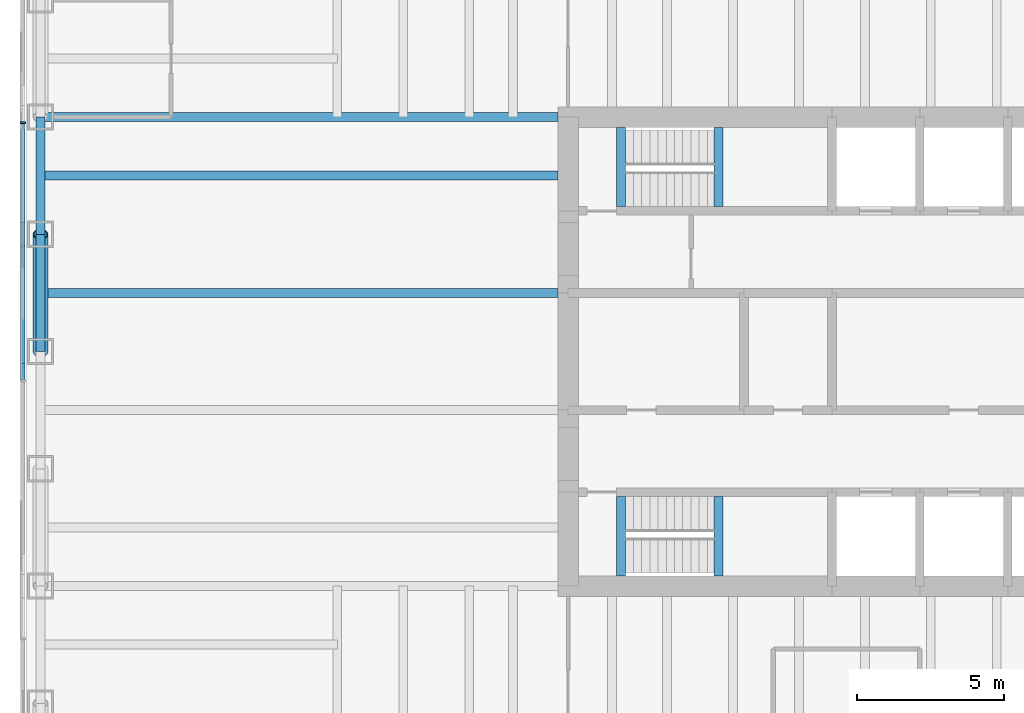
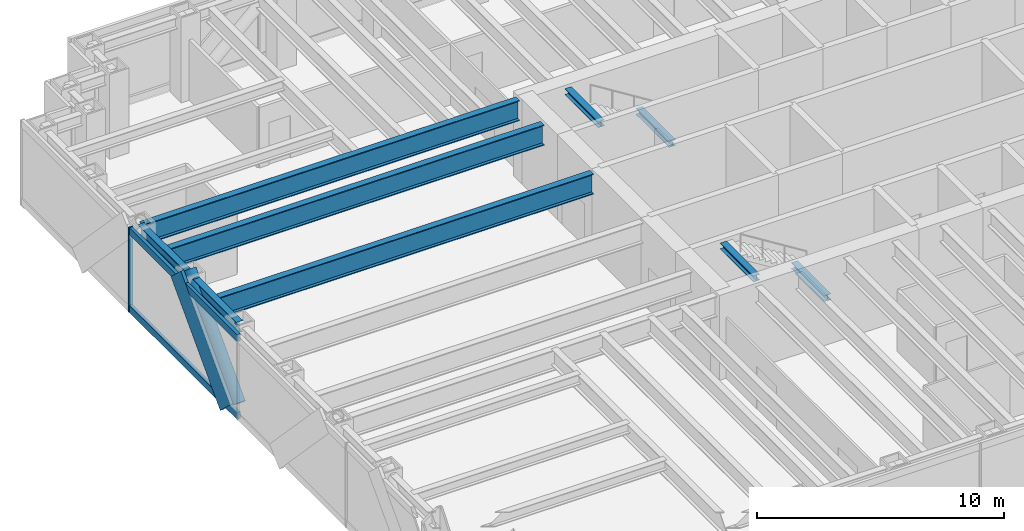
# One storey, part 3 of 15: 9 beams, 5 members, 1 element without a shape of its own.
"""IFC4 building model written with IfcOpenShell, lengths in metres."""

from ifc_helpers import new_model, si_unit, direction, frame, origin, origin_2d, place, context, subcontext, project, spatial, rectangle, hollow_circle, i_section, extrude, material, material_profile, profile_set, type_object, element, aggregate, save


model = new_model("IFC4")

# Units and contexts
model_context = context("Model", 3, precision=1e-05, world=origin(), true_north=direction((0.0, 1.0)))
body_context = subcontext(model_context, "Body", "Model", "MODEL_VIEW")
ifc_project = project(units=[si_unit("LENGTHUNIT", "METRE"), si_unit("AREAUNIT", "SQUARE_METRE"), si_unit("VOLUMEUNIT", "CUBIC_METRE"), si_unit("PLANEANGLEUNIT", "RADIAN"), si_unit("MASSUNIT", "GRAM", prefix="KILO")], contexts=[model_context])

# Site, building, storey
site_placement = place(None, origin())
site = spatial("IfcSite", under=ifc_project, at=site_placement, CompositionType="ELEMENT")
building_placement = place(site_placement, origin())
building = spatial("IfcBuilding", under=site, at=building_placement, Name="Rheinbord Bourse Tower", CompositionType="ELEMENT")
storey_placement = place(building_placement, frame((0.0, 0.0, 279.5)))
storey = spatial("IfcBuildingStorey", under=building, at=storey_placement, Name="L63", CompositionType="ELEMENT", Elevation=279.5)

# Curtain wall, members
ifc_material_1 = material(Name="Dark glass and black aluminium", Category="aluminium")
curtain_wall_type = type_object("IfcCurtainWallType", Name="CW3 DARK GLASS CURTAIN WALL", PredefinedType="USERDEFINED", material=ifc_material_1)
curtain_wall_placement = place(storey_placement, origin())
curtain_wall = element("IfcCurtainWall", 1, at=curtain_wall_placement, inside=storey, type_object=curtain_wall_type, Name="Curtain wall CW3 W L63", ObjectType="UNITISED CURTAIN WALL", PredefinedType="USERDEFINED")
ifc_material_2 = material(Name="Black anodised aluminium", Category="aluminium")
ifc_material_profile_1 = material_profile(ifc_material_2, rectangle(XDim=0.14990234375, YDim=1.10791015625, at=origin_2d()), Name="CW3 DIAGONAL MULLION 1108x150")
ifc_profile_set_1 = profile_set([ifc_material_profile_1], Name="Black anodised aluminium")
member_type_1 = type_object("IfcMemberType", Name="CW3 BLACK DIAGONAL MULLION", PredefinedType="USERDEFINED", material=ifc_profile_set_1)
member_1_placement = place(storey_placement, frame((-0.60009765625, 24.0, 0.0), z_axis=(0.0, 0.689659376744, 0.724133926887), x_axis=(-1.0, 0.0, 0.0)))
member_1 = element("IfcMember", 2, at=member_1_placement, type_object=member_type_1, Name="CW3 diagonal mullion d", ObjectType="DIAGONAL MULLION", PredefinedType="USERDEFINED", context=body_context, shape_type="SweptSolid", body=[
    extrude(rectangle(XDim=0.14990234375, YDim=1.10791015625, at=origin_2d()), origin(), (0.0, 0.0, 1.0), 5.800048828125),
])
ifc_material_3 = material(Name="Black anodised aluminium", Category="aluminium")
ifc_material_profile_2 = material_profile(ifc_material_3, rectangle(XDim=0.199951171875, YDim=0.06494140625, at=origin_2d()), Name="CW3 MULLION 65x200")
ifc_profile_set_2 = profile_set([ifc_material_profile_2], Name="Black anodised aluminium")
member_type_2 = type_object("IfcMemberType", Name="CW3 BLACK MULLION", PredefinedType="MULLION", material=ifc_profile_set_2)
member_2_placement = place(storey_placement, frame((-0.60009765625, 31.800048828125, 0.0), z_axis=(0.0, 0.0, 1.0), x_axis=(1.0, 0.0, 0.0)))
member_2 = element("IfcMember", 3, at=member_2_placement, type_object=member_type_2, Name="CW3 mullion 2", PredefinedType="MULLION", context=body_context, shape_type="SweptSolid", body=[
    extrude(rectangle(XDim=0.199951171875, YDim=0.06494140625, at=origin_2d()), origin(), (0.0, 0.0, 1.0), 4.199951171875),
])
ifc_material_4 = material(Name="Black anodised aluminium", Category="aluminium")
ifc_material_profile_3 = material_profile(ifc_material_4, rectangle(XDim=0.14990234375, YDim=0.35009765625, at=origin_2d()), Name="CW3 TRANSOM 350x150")
ifc_profile_set_3 = profile_set([ifc_material_profile_3], Name="Black anodised aluminium")
member_type_3 = type_object("IfcMemberType", Name="CW3 BLACK TRANSOM", PredefinedType="USERDEFINED", material=ifc_profile_set_3)
member_3_placement = place(storey_placement, frame((-0.60009765625, 31.767578125, 0.175048828125), z_axis=(0.0, -1.0, 0.0), x_axis=(1.0, 0.0, 0.0)))
member_3 = element("IfcMember", 4, at=member_3_placement, type_object=member_type_3, Name="CW3 transom 2.1", ObjectType="TRANSOM", PredefinedType="USERDEFINED", context=body_context, shape_type="SweptSolid", body=[
    extrude(rectangle(XDim=0.14990234375, YDim=0.35009765625, at=origin_2d()), origin(), (0.0, 0.0, 1.0), 8.735107421875),
])
member_4_placement = place(storey_placement, frame((-0.60009765625, 31.767578125, 4.02490234375), z_axis=(0.0, -1.0, 0.0), x_axis=(1.0, 0.0, 0.0)))
member_4 = element("IfcMember", 5, at=member_4_placement, type_object=member_type_3, Name="CW3 transom 2.2", ObjectType="TRANSOM", PredefinedType="USERDEFINED", context=body_context, shape_type="SweptSolid", body=[
    extrude(rectangle(XDim=0.14990234375, YDim=0.35009765625, at=origin_2d()), origin(), (0.0, 0.0, 1.0), 8.735107421875),
])
aggregate(curtain_wall, [member_2, member_3, member_4, member_1])

# Beams
ifc_material_5 = material(Name="Steel S460", Category="steel")
ifc_material_profile_4 = material_profile(ifc_material_5, i_section(OverallWidth=0.302001953125, OverallDepth=1.008056640625, WebThickness=0.02099609375, FlangeThickness=0.0400390625, at=origin_2d()), Name="HEM 1000")
ifc_profile_set_4 = profile_set([ifc_material_profile_4], Name="Steel S460")
beam_type_1 = type_object("IfcBeamType", Name="END BEAM HEM 1000", PredefinedType="BEAM", material=ifc_profile_set_4)
for number, where, z_axis, x_axis, name in (
    (6, (0.0, 26.0, 3.535888671875), (1.0, 0.0, 0.0), (0.0, 1.0, 0.0), "End beam west 26 L64"),
    (7, (0.0, 30.0, 3.535888671875), (1.0, 0.0, 0.0), (0.0, 1.0, 0.0), "End beam west 30 L64"),
):
    element("IfcBeam", number, at=place(storey_placement, frame(where, z_axis=z_axis, x_axis=x_axis)), inside=storey, type_object=beam_type_1, Name=name, PredefinedType="BEAM", context=body_context, shape_type="SweptSolid", body=[
        extrude(i_section(OverallWidth=0.302001953125, OverallDepth=1.008056640625, WebThickness=0.02099609375, FlangeThickness=0.0400390625, at=origin_2d()), origin(), (0.0, 0.0, 1.0), 17.64990234375),
    ])
ifc_material_6 = material(Name="Steel S460", Category="steel")
ifc_material_profile_5 = material_profile(ifc_material_6, i_section(OverallWidth=0.302001953125, OverallDepth=1.008056640625, WebThickness=0.02099609375, FlangeThickness=0.0400390625, at=origin_2d()), Name="HEM 1000")
ifc_profile_set_5 = profile_set([ifc_material_profile_5], Name="Steel S460")
beam_type_2 = type_object("IfcBeamType", Name="GIRDER HEM 1000", PredefinedType="BEAM", material=ifc_profile_set_5)
beam_placement = place(storey_placement, frame((0.0, 32.0, 3.535888671875), z_axis=(1.0, 0.0, 0.0), x_axis=(0.0, 1.0, 0.0)))
element("IfcBeam", 8, at=beam_placement, inside=storey, type_object=beam_type_2, Name="Girder west 32 L64", PredefinedType="BEAM", context=body_context, shape_type="SweptSolid", body=[
    extrude(i_section(OverallWidth=0.302001953125, OverallDepth=1.008056640625, WebThickness=0.02099609375, FlangeThickness=0.0400390625, at=origin_2d()), origin(), (0.0, 0.0, 1.0), 17.64990234375),
])
ifc_material_7 = material(Name="Steel S460", Category="steel")
ifc_material_profile_6 = material_profile(ifc_material_7, i_section(OverallWidth=0.300048828125, OverallDepth=0.300048828125, WebThickness=0.010986328125, FlangeThickness=0.01904296875, at=origin_2d()), Name="HEB 300")
ifc_profile_set_6 = profile_set([ifc_material_profile_6], Name="Steel S460")
beam_type_3 = type_object("IfcBeamType", Name="LANDING TRIMMER HEB 300", PredefinedType="BEAM", material=ifc_profile_set_6)
for number, where, z_axis, x_axis, name in (
    (9, (23.1298828125, 16.35009765625, 1.75), (0.0, 1.0, 0.0), (-1.0, 0.0, 0.0), "Landing trimmer ST1 L63"),
    (10, (19.800048828125, 16.35009765625, 3.889892578125), (0.0, 1.0, 0.0), (-1.0, 0.0, 0.0), "Well trimmer ST1 under L64"),
    (11, (23.1298828125, 28.949951171875, 1.75), (0.0, 1.0, 0.0), (-1.0, 0.0, 0.0), "Landing trimmer ST2 L63"),
    (12, (19.800048828125, 28.949951171875, 3.889892578125), (0.0, 1.0, 0.0), (-1.0, 0.0, 0.0), "Well trimmer ST2 under L64"),
):
    element("IfcBeam", number, at=place(storey_placement, frame(where, z_axis=z_axis, x_axis=x_axis)), inside=storey, type_object=beam_type_3, Name=name, PredefinedType="BEAM", context=body_context, shape_type="SweptSolid", body=[
        extrude(i_section(OverallWidth=0.300048828125, OverallDepth=0.300048828125, WebThickness=0.010986328125, FlangeThickness=0.01904296875, at=origin_2d()), origin(), (0.0, 0.0, 1.0), 2.699951171875),
    ])

# Member
ifc_material_8 = material(Name="Steel S460", Category="steel")
ifc_material_profile_7 = material_profile(ifc_material_8, hollow_circle(Radius=0.25390625, WallThickness=0.030029296875, at=origin_2d()), Name="CHS 508x30")
ifc_profile_set_7 = profile_set([ifc_material_profile_7], Name="Steel S460")
member_type_4 = type_object("IfcMemberType", Name="MEGABRACE CHS 508x30", PredefinedType="BRACE", material=ifc_profile_set_7)
member_5_placement = place(storey_placement, frame((0.0, 24.0, 0.0), z_axis=(0.0, 0.689659376744, 0.724133926887), x_axis=(-1.0, 0.0, 0.0)))
element("IfcMember", 13, at=member_5_placement, inside=storey, type_object=member_type_4, Name="Megabrace W face line d L63", PredefinedType="BRACE", context=body_context, shape_type="SweptSolid", body=[
    extrude(hollow_circle(Radius=0.25390625, WallThickness=0.030029296875, at=origin_2d()), origin(), (0.0, 0.0, 1.0), 5.800048828125),
])

# Beams
ifc_material_9 = material(Name="Steel S460", Category="steel")
ifc_material_profile_8 = material_profile(ifc_material_9, i_section(OverallWidth=0.300048828125, OverallDepth=0.550048828125, WebThickness=0.014892578125, FlangeThickness=0.029052734375, at=origin_2d()), Name="HEB 550")
ifc_profile_set_8 = profile_set([ifc_material_profile_8], Name="Steel S460")
beam_type_4 = type_object("IfcBeamType", Name="SPANDREL HEB 550", PredefinedType="SPANDREL", material=ifc_profile_set_8)
for number, where, z_axis, x_axis, name in (
    (14, (0.0, 32.0, 3.764892578125), (0.0, -1.0, 0.0), (1.0, 0.0, 0.0), "Spandrel W-32-W-28 under L64"),
    (15, (0.0, 28.0, 3.764892578125), (0.0, -1.0, 0.0), (1.0, 0.0, 0.0), "Spandrel W-28-W-24 under L64"),
):
    element("IfcBeam", number, at=place(storey_placement, frame(where, z_axis=z_axis, x_axis=x_axis)), inside=storey, type_object=beam_type_4, Name=name, PredefinedType="SPANDREL", context=body_context, shape_type="SweptSolid", body=[
        extrude(i_section(OverallWidth=0.300048828125, OverallDepth=0.550048828125, WebThickness=0.014892578125, FlangeThickness=0.029052734375, at=origin_2d()), origin(), (0.0, 0.0, 1.0), 4.0),
    ])

save(model, "model.ifc")
